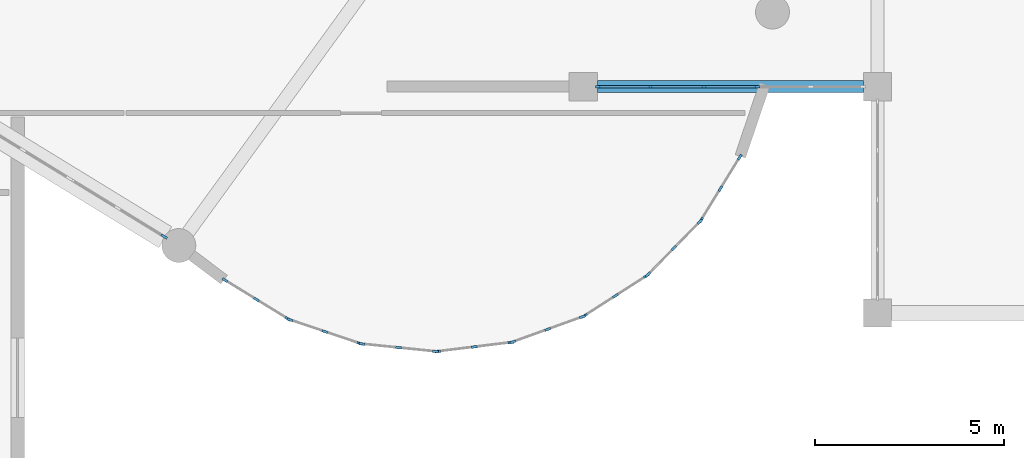
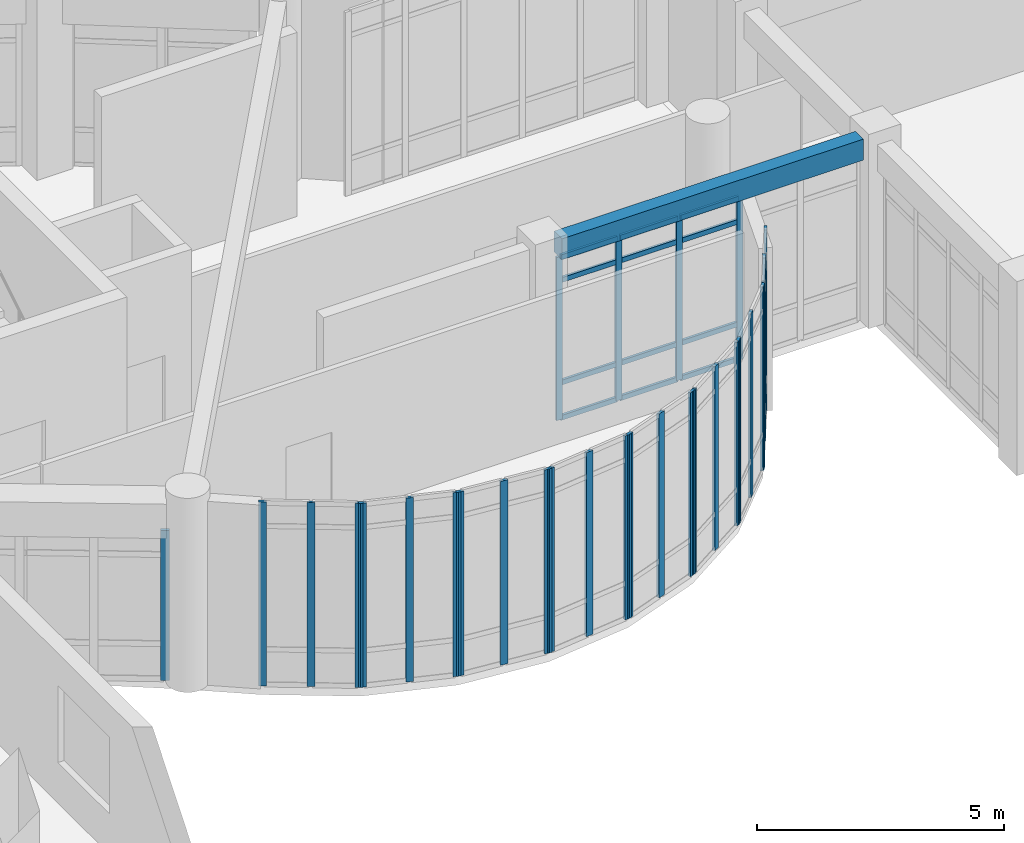
# One storey, part 16 of 68: 41 members, 1 beam, 10 elements without a shape of their own.
"""IFC4 building model written with IfcOpenShell, lengths in metres."""

import ifcopenshell
import ifcopenshell.guid

model = None  # the IFC model being written
_history = None  # IfcOwnerHistory: only IFC2X3 demands one
_inside = {}  # id of a spatial element -> (the spatial element, [elements in it])
_under = {}  # id of a project, library or spatial element -> (it, [spatial elements below it])
_declared = {}  # id of a project -> (the project, [libraries it declares])
_typed = {}  # id of a type object -> (the type object, [elements of that type])
_made_of = {}  # id of a material, layer set ... -> (it, [elements and type objects made of it])


def new_model(schema):
    """Start an empty IFC model of exactly this schema.

    Asked for "IFC4X3", IfcOpenShell would pick the latest addendum, in which some entities
    have other attributes; the version numbers below select the first issue.
    IFC2X3 requires an IfcOwnerHistory on every rooted entity: one is made here for all.
    """
    global model, _history
    if schema == "IFC4X3":
        model = ifcopenshell.file(schema_version=(4, 3, 0, 0))
    else:
        model = ifcopenshell.file(schema=schema)
    _inside.clear()
    _under.clear()
    _declared.clear()
    _typed.clear()
    _made_of.clear()
    _history = None
    if model.schema == "IFC2X3":
        org = make("IfcOrganization", Name="unknown")
        user = make(
            "IfcPersonAndOrganization",
            ThePerson=make("IfcPerson", FamilyName="unknown"),
            TheOrganization=org,
        )
        app = make(
            "IfcApplication",
            ApplicationDeveloper=org,
            Version="unknown",
            ApplicationFullName="unknown",
            ApplicationIdentifier="unknown",
        )
        _history = make(
            "IfcOwnerHistory",
            OwningUser=user,
            OwningApplication=app,
            ChangeAction="ADDED",
            CreationDate=0,
        )
    return model


def make(cls, **values):
    """One entity of the class cls with the attributes given. An attribute that is None is left unset."""
    return model.create_entity(
        cls, **{name: value for name, value in values.items() if value is not None}
    )


def rooted(cls, **values):
    """An entity with a GlobalId (a new one), such as an element, a storey or a relation."""
    return make(cls, GlobalId=ifcopenshell.guid.new(), OwnerHistory=_history, **values)


def si_unit(unit_type, name, prefix=None):
    """IfcSIUnit, for example si_unit("LENGTHUNIT", "METRE", prefix="MILLI")."""
    return make("IfcSIUnit", UnitType=unit_type, Prefix=prefix, Name=name)


def assignment(units):
    """IfcUnitAssignment: the units of a project."""
    return None if units is None else make("IfcUnitAssignment", Units=units)


def point(xyz):
    """IfcCartesianPoint."""
    return None if xyz is None else make("IfcCartesianPoint", Coordinates=xyz)


def direction(xyz):
    """IfcDirection."""
    return None if xyz is None else make("IfcDirection", DirectionRatios=xyz)


def frame(location, z_axis=None, x_axis=None):
    """IfcAxis2Placement3D, a coordinate frame: its origin and axes. An axis left out is left unset."""
    return make(
        "IfcAxis2Placement3D",
        Location=point(location),
        Axis=direction(z_axis),
        RefDirection=direction(x_axis),
    )


def frame_2d(location, x_axis=None):
    """IfcAxis2Placement2D, a coordinate frame in the plane: its origin and x axis."""
    return make(
        "IfcAxis2Placement2D", Location=point(location), RefDirection=direction(x_axis)
    )


def origin():
    """The frame at (0, 0, 0) with its axes left unset."""
    return frame((0.0, 0.0, 0.0))


def origin_2d():
    """The frame at (0, 0) in the plane with its x axis left unset."""
    return frame_2d((0.0, 0.0))


def place(relative_to, where):
    """IfcLocalPlacement: puts the frame where relative to a parent placement (None: the world)."""
    return make(
        "IfcLocalPlacement", PlacementRelTo=relative_to, RelativePlacement=where
    )


def context(
    kind, dimensions, precision=None, world=None, true_north=None, identifier=None
):
    """IfcGeometricRepresentationContext, for example the 3D "Model" context."""
    return make(
        "IfcGeometricRepresentationContext",
        ContextIdentifier=identifier,
        ContextType=kind,
        CoordinateSpaceDimension=dimensions,
        Precision=precision,
        WorldCoordinateSystem=world,
        TrueNorth=true_north,
    )


def subcontext(parent, identifier, kind, view, scale=None):
    """IfcGeometricRepresentationSubContext, for example "Body" below "Model"."""
    return make(
        "IfcGeometricRepresentationSubContext",
        ContextIdentifier=identifier,
        ContextType=kind,
        ParentContext=parent,
        TargetScale=scale,
        TargetView=view,
    )


def project(units=None, contexts=None):
    """IfcProject with its units and contexts."""
    return rooted(
        "IfcProject",
        Name="project",
        RepresentationContexts=contexts,
        UnitsInContext=assignment(units),
    )


def spatial(cls, under=None, at=None, **own):
    """A site, building, storey or space (cls), placed at a placement, below another one or the project."""
    s = rooted(cls, ObjectPlacement=at, **own)
    if under is not None:
        _under.setdefault(under.id(), (under, []))[1].append(s)
    return s


def profile(cls, at=None, kind="AREA", **sizes):
    """A parametric profile (cls). Its sizes go by their IFC names, for example OverallWidth=200.0."""
    return make(cls, ProfileType=kind, Position=at, **sizes)


def rectangle(**sizes):
    """IfcRectangleProfileDef."""
    return profile("IfcRectangleProfileDef", **sizes)


def extrude(swept, where, along, depth):
    """IfcExtrudedAreaSolid: the profile swept, set in the frame where, extruded along a direction by depth."""
    return make(
        "IfcExtrudedAreaSolid",
        SweptArea=swept,
        Position=where,
        ExtrudedDirection=direction(along),
        Depth=depth,
    )


def shape(context_of_items, identifier, shape_type, items):
    """IfcShapeRepresentation: the items that make up one representation, for example the "Body"."""
    return make(
        "IfcShapeRepresentation",
        ContextOfItems=context_of_items,
        RepresentationIdentifier=identifier,
        RepresentationType=shape_type,
        Items=items,
    )


def material(Name=None, Category=None):
    """IfcMaterial."""
    return make("IfcMaterial", Name=Name, Category=Category)


def layer(
    of_material, thickness, ventilated=None, Name=None, Category=None, Priority=None
):
    """IfcMaterialLayer: one layer of a wall or slab, of a material (None: an air gap)."""
    return make(
        "IfcMaterialLayer",
        Material=of_material,
        LayerThickness=thickness,
        IsVentilated=ventilated,
        Name=Name,
        Category=Category,
        Priority=Priority,
    )


def layer_set(layers, Name=None):
    """IfcMaterialLayerSet."""
    return make("IfcMaterialLayerSet", MaterialLayers=layers, LayerSetName=Name)


def material_profile(
    of_material, cross_section, Name=None, Category=None, Priority=None
):
    """IfcMaterialProfile: a cross section and its material."""
    return make(
        "IfcMaterialProfile",
        Name=Name,
        Material=of_material,
        Profile=cross_section,
        Priority=Priority,
        Category=Category,
    )


def profile_set(profiles, Name=None, composite=None):
    """IfcMaterialProfileSet."""
    return make(
        "IfcMaterialProfileSet",
        Name=Name,
        MaterialProfiles=profiles,
        CompositeProfile=composite,
    )


def made_of(thing, what):
    """Note that an element or type object is made of a material, layer set ...; save() writes the relation."""
    if what is not None:
        _made_of.setdefault(what.id(), (what, []))[1].append(thing)
    return thing


def type_object(cls, material=None, **own):
    """A type object (cls), such as IfcWallType, which elements share."""
    return made_of(rooted(cls, **own), material)


def element(
    cls,
    number,
    at=None,
    inside=None,
    cuts=None,
    type_object=None,
    material=None,
    context=None,
    identifier="Body",
    shape_type=None,
    held_by="IfcProductDefinitionShape",
    body=None,
    shapes=None,
    **own,
):
    """One element of the class cls, such as IfcWall. Its Tag is "e" and its number.

    at: its placement. inside: the storey or other place that contains it. cuts: it is an
    opening in that element (IfcRelVoidsElement). A single representation is given by context,
    identifier, shape_type and body (its items); several are given by shapes. held_by: the class
    of the entity that holds the representations. save() writes the other relations.
    """
    e = rooted(cls, Tag="e%d" % number, ObjectPlacement=at, **own)
    if body is not None:
        shapes = [shape(context, identifier, shape_type, body)]
    if shapes is not None:
        e.Representation = make(held_by, Representations=shapes)
    if inside is not None:
        _inside.setdefault(inside.id(), (inside, []))[1].append(e)
    if cuts is not None:
        rooted(
            "IfcRelVoidsElement", RelatingBuildingElement=cuts, RelatedOpeningElement=e
        )
    if type_object is not None:
        _typed.setdefault(type_object.id(), (type_object, []))[1].append(e)
    return made_of(e, material)


def aggregate(whole, parts):
    """IfcRelAggregates: a whole, such as a stair, and the parts it consists of."""
    return rooted("IfcRelAggregates", RelatingObject=whole, RelatedObjects=parts)


def save(model, path):
    """Write the relations noted so far, then the file.

    IfcRelAggregates (storeys below a building ...), IfcRelContainedInSpatialStructure (elements
    in a storey), IfcRelDefinesByType, IfcRelAssociatesMaterial and IfcRelDeclares: one each for
    every whole, place, type object, material and project.
    """
    for whole, parts in _under.values():
        aggregate(whole, parts)
    for where, things in _inside.values():
        rooted(
            "IfcRelContainedInSpatialStructure",
            RelatedElements=things,
            RelatingStructure=where,
        )
    for kind, things in _typed.values():
        rooted("IfcRelDefinesByType", RelatedObjects=things, RelatingType=kind)
    for what, things in _made_of.values():
        rooted("IfcRelAssociatesMaterial", RelatedObjects=things, RelatingMaterial=what)
    for by, libraries in _declared.values():
        rooted("IfcRelDeclares", RelatingContext=by, RelatedDefinitions=libraries)
    model.write(path)


model = new_model("IFC4")

# Units and contexts
model_context = context("Model", 3, precision=1e-05, world=origin(), true_north=direction((0.0, 1.0)))
body_context = subcontext(model_context, "Body", "Model", "MODEL_VIEW")
ifc_project = project(units=[si_unit("LENGTHUNIT", "METRE"), si_unit("AREAUNIT", "SQUARE_METRE"), si_unit("VOLUMEUNIT", "CUBIC_METRE"), si_unit("PLANEANGLEUNIT", "RADIAN"), si_unit("MASSUNIT", "GRAM", prefix="KILO")], contexts=[model_context])

# Site, building, storey
site_placement = place(None, origin())
site = spatial("IfcSite", under=ifc_project, at=site_placement, CompositionType="ELEMENT")
building_placement = place(site_placement, origin())
building = spatial("IfcBuilding", under=site, at=building_placement, Name="Miralva Faculty of Natural Sciences", CompositionType="ELEMENT")
storey_placement = place(building_placement, frame((0.0, 0.0, 5.39990234375)))
storey = spatial("IfcBuildingStorey", under=building, at=storey_placement, Name="L01", CompositionType="ELEMENT", Elevation=5.39990234375)

# Beam
ifc_material_1 = material(Name="Concrete C40/50", Category="concrete")
ifc_material_profile_1 = material_profile(ifc_material_1, rectangle(XDim=0.320068359375, YDim=0.52001953125, at=origin_2d()), Name="RC 320x520")
ifc_profile_set_1 = profile_set([ifc_material_profile_1], Name="Concrete C40/50")
beam_type = type_object("IfcBeamType", Name="BM-BG01", PredefinedType="BEAM", material=ifc_profile_set_1)
beam_placement = place(storey_placement, frame((126.375, 18.0, 4.300048828125), z_axis=(1.0, 0.0, 0.0), x_axis=(0.0, 1.0, 0.0)))
element("IfcBeam", 1, at=beam_placement, inside=storey, type_object=beam_type, Name="Girder EW L01-21", PredefinedType="BEAM", context=body_context, shape_type="SweptSolid", body=[
    extrude(rectangle(XDim=0.320068359375, YDim=0.52001953125, at=origin_2d()), origin(), (0.0, 0.0, 1.0), 7.050048828125),
])

# Curtain wall, member
ifc_material_2 = material(Name="Laminated solar-control glass", Category="glass")
ifc_layer_1 = layer(ifc_material_2, 0.179931640625, Name="CW-ARC-L01")
ifc_layer_set_1 = layer_set([ifc_layer_1], Name="Laminated solar-control glass")
curtain_wall_type_1 = type_object("IfcCurtainWallType", Name="CW-ARC-L01", PredefinedType="USERDEFINED", material=ifc_layer_set_1)
curtain_wall_1_placement = place(storey_placement, origin())
curtain_wall_1 = element("IfcCurtainWall", 2, at=curtain_wall_1_placement, inside=storey, type_object=curtain_wall_type_1, Name="Curtain wall CW-02 L01-30", ObjectType="UNITISED CURTAIN WALL", PredefinedType="USERDEFINED")
ifc_material_3 = material(Name="Anodised aluminium", Category="aluminium")
ifc_material_profile_2 = material_profile(ifc_material_3, rectangle(XDim=0.06494140625, YDim=0.179931640625, at=origin_2d()), Name="MULLION 65x180")
ifc_profile_set_2 = profile_set([ifc_material_profile_2], Name="Anodised aluminium")
member_type_1 = type_object("IfcMemberType", Name="CW-M01", PredefinedType="MULLION", material=ifc_profile_set_2)
member_1_placement = place(storey_placement, frame((114.884765625, 14.02685546875, 0.0), z_axis=(0.0, 0.0, 1.0), x_axis=(0.522489018681, 0.852646014098, 0.0)))
member_1 = element("IfcMember", 3, at=member_1_placement, type_object=member_type_1, Name="CW-02 mullion 3", PredefinedType="MULLION", context=body_context, shape_type="SweptSolid", body=[
    extrude(rectangle(XDim=0.06494140625, YDim=0.179931640625, at=origin_2d()), origin(), (0.0, 0.0, 1.0), 3.705078125),
])
aggregate(curtain_wall_1, [member_1])

# Curtain wall, members
ifc_layer_2 = layer(ifc_material_2, 0.179931640625, Name="CW-RND-L01")
ifc_layer_set_2 = layer_set([ifc_layer_2], Name="Laminated solar-control glass")
curtain_wall_type_2 = type_object("IfcCurtainWallType", Name="CW-RND-L01", PredefinedType="USERDEFINED", material=ifc_layer_set_2)
curtain_wall_2_placement = place(storey_placement, origin())
curtain_wall_2 = element("IfcCurtainWall", 4, at=curtain_wall_2_placement, inside=storey, type_object=curtain_wall_type_2, Name="Curtain wall CW-05 L01-55", ObjectType="UNITISED CURTAIN WALL", PredefinedType="USERDEFINED")
ifc_material_profile_3 = material_profile(ifc_material_3, rectangle(XDim=0.06494140625, YDim=0.159912109375, at=origin_2d()), Name="MULLION 65x160")
ifc_profile_set_3 = profile_set([ifc_material_profile_3], Name="Anodised aluminium")
member_type_2 = type_object("IfcMemberType", Name="CW-M02", PredefinedType="MULLION", material=ifc_profile_set_3)
member_2_placement = place(storey_placement, frame((129.12353515625, 14.46337890625, 0.0), z_axis=(0.0, 0.0, 1.0), x_axis=(-0.851994617353, 0.523550543884, 0.0)))
member_2 = element("IfcMember", 5, at=member_2_placement, type_object=member_type_2, Name="CW-05 mullion 1", PredefinedType="MULLION", context=body_context, shape_type="SweptSolid", body=[
    extrude(rectangle(XDim=0.06494140625, YDim=0.159912109375, at=origin_2d()), origin(), (0.0, 0.0, 1.0), 4.550048828125),
])
member_3_placement = place(storey_placement, frame((129.635498046875, 15.29638671875, 0.0), z_axis=(0.0, 0.0, 1.0), x_axis=(-0.851994617353, 0.523550543884, 0.0)))
member_3 = element("IfcMember", 6, at=member_3_placement, type_object=member_type_2, Name="CW-05 mullion 2", PredefinedType="MULLION", context=body_context, shape_type="SweptSolid", body=[
    extrude(rectangle(XDim=0.06494140625, YDim=0.159912109375, at=origin_2d()), origin(), (0.0, 0.0, 1.0), 4.550048828125),
])
member_4_placement = place(storey_placement, frame((130.147216796875, 16.12939453125, 0.0), z_axis=(0.0, 0.0, 1.0), x_axis=(-0.851994617353, 0.523550543884, 0.0)))
member_4 = element("IfcMember", 7, at=member_4_placement, type_object=member_type_2, Name="CW-05 mullion 3", PredefinedType="MULLION", context=body_context, shape_type="SweptSolid", body=[
    extrude(rectangle(XDim=0.06494140625, YDim=0.159912109375, at=origin_2d()), origin(), (0.0, 0.0, 1.0), 4.550048828125),
])
aggregate(curtain_wall_2, [member_2, member_3, member_4])

curtain_wall_3_placement = place(storey_placement, origin())
curtain_wall_3 = element("IfcCurtainWall", 8, at=curtain_wall_3_placement, inside=storey, type_object=curtain_wall_type_2, Name="Curtain wall CW-05 L01-56", ObjectType="UNITISED CURTAIN WALL", PredefinedType="USERDEFINED")
member_5_placement = place(storey_placement, frame((127.718505859375, 13.01953125, 0.0), z_axis=(0.0, 0.0, 1.0), x_axis=(-0.714124749017, 0.700018458929, 0.0)))
member_5 = element("IfcMember", 9, at=member_5_placement, type_object=member_type_2, Name="CW-05 mullion 1", PredefinedType="MULLION", context=body_context, shape_type="SweptSolid", body=[
    extrude(rectangle(XDim=0.06494140625, YDim=0.159912109375, at=origin_2d()), origin(), (0.0, 0.0, 1.0), 4.550048828125),
])
member_6_placement = place(storey_placement, frame((128.40283203125, 13.7177734375, 0.0), z_axis=(0.0, 0.0, 1.0), x_axis=(-0.714124749017, 0.700018458929, 0.0)))
member_6 = element("IfcMember", 10, at=member_6_placement, type_object=member_type_2, Name="CW-05 mullion 2", PredefinedType="MULLION", context=body_context, shape_type="SweptSolid", body=[
    extrude(rectangle(XDim=0.06494140625, YDim=0.159912109375, at=origin_2d()), origin(), (0.0, 0.0, 1.0), 4.550048828125),
])
member_7_placement = place(storey_placement, frame((129.087158203125, 14.416015625, 0.0), z_axis=(0.0, 0.0, 1.0), x_axis=(-0.714124749017, 0.700018458929, 0.0)))
member_7 = element("IfcMember", 11, at=member_7_placement, type_object=member_type_2, Name="CW-05 mullion 3", PredefinedType="MULLION", context=body_context, shape_type="SweptSolid", body=[
    extrude(rectangle(XDim=0.06494140625, YDim=0.159912109375, at=origin_2d()), origin(), (0.0, 0.0, 1.0), 4.550048828125),
])
aggregate(curtain_wall_3, [member_5, member_6, member_7])

curtain_wall_4_placement = place(storey_placement, origin())
curtain_wall_4 = element("IfcCurtainWall", 12, at=curtain_wall_4_placement, inside=storey, type_object=curtain_wall_type_2, Name="Curtain wall CW-05 L01-57", ObjectType="UNITISED CURTAIN WALL", PredefinedType="USERDEFINED")
member_8_placement = place(storey_placement, frame((126.02734375, 11.9248046875, 0.0), z_axis=(0.0, 0.0, 1.0), x_axis=(-0.540444854725, 0.841379438185, 0.0)))
member_8 = element("IfcMember", 13, at=member_8_placement, type_object=member_type_2, Name="CW-05 mullion 1", PredefinedType="MULLION", context=body_context, shape_type="SweptSolid", body=[
    extrude(rectangle(XDim=0.06494140625, YDim=0.159912109375, at=origin_2d()), origin(), (0.0, 0.0, 1.0), 4.550048828125),
])
member_9_placement = place(storey_placement, frame((126.849853515625, 12.453125, 0.0), z_axis=(0.0, 0.0, 1.0), x_axis=(-0.540444854725, 0.841379438185, 0.0)))
member_9 = element("IfcMember", 14, at=member_9_placement, type_object=member_type_2, Name="CW-05 mullion 2", PredefinedType="MULLION", context=body_context, shape_type="SweptSolid", body=[
    extrude(rectangle(XDim=0.06494140625, YDim=0.159912109375, at=origin_2d()), origin(), (0.0, 0.0, 1.0), 4.550048828125),
])
member_10_placement = place(storey_placement, frame((127.672607421875, 12.9814453125, 0.0), z_axis=(0.0, 0.0, 1.0), x_axis=(-0.540444854725, 0.841379438185, 0.0)))
member_10 = element("IfcMember", 15, at=member_10_placement, type_object=member_type_2, Name="CW-05 mullion 3", PredefinedType="MULLION", context=body_context, shape_type="SweptSolid", body=[
    extrude(rectangle(XDim=0.06494140625, YDim=0.159912109375, at=origin_2d()), origin(), (0.0, 0.0, 1.0), 4.550048828125),
])
aggregate(curtain_wall_4, [member_8, member_9, member_10])

curtain_wall_5_placement = place(storey_placement, origin())
curtain_wall_5 = element("IfcCurtainWall", 16, at=curtain_wall_5_placement, inside=storey, type_object=curtain_wall_type_2, Name="Curtain wall CW-05 L01-58", ObjectType="UNITISED CURTAIN WALL", PredefinedType="USERDEFINED")
member_11_placement = place(storey_placement, frame((124.135009765625, 11.233642578125, 0.0), z_axis=(0.0, 0.0, 1.0), x_axis=(-0.339695547876, 0.940535451088, 0.0)))
member_11 = element("IfcMember", 17, at=member_11_placement, type_object=member_type_2, Name="CW-05 mullion 1", PredefinedType="MULLION", context=body_context, shape_type="SweptSolid", body=[
    extrude(rectangle(XDim=0.06494140625, YDim=0.159912109375, at=origin_2d()), origin(), (0.0, 0.0, 1.0), 4.550048828125),
])
member_12_placement = place(storey_placement, frame((125.0546875, 11.565673828125, 0.0), z_axis=(0.0, 0.0, 1.0), x_axis=(-0.339695547876, 0.940535451088, 0.0)))
member_12 = element("IfcMember", 18, at=member_12_placement, type_object=member_type_2, Name="CW-05 mullion 2", PredefinedType="MULLION", context=body_context, shape_type="SweptSolid", body=[
    extrude(rectangle(XDim=0.06494140625, YDim=0.159912109375, at=origin_2d()), origin(), (0.0, 0.0, 1.0), 4.550048828125),
])
member_13_placement = place(storey_placement, frame((125.97412109375, 11.89794921875, 0.0), z_axis=(0.0, 0.0, 1.0), x_axis=(-0.339695547876, 0.940535451088, 0.0)))
member_13 = element("IfcMember", 19, at=member_13_placement, type_object=member_type_2, Name="CW-05 mullion 3", PredefinedType="MULLION", context=body_context, shape_type="SweptSolid", body=[
    extrude(rectangle(XDim=0.06494140625, YDim=0.159912109375, at=origin_2d()), origin(), (0.0, 0.0, 1.0), 4.550048828125),
])
aggregate(curtain_wall_5, [member_11, member_12, member_13])

curtain_wall_6_placement = place(storey_placement, origin())
curtain_wall_6 = element("IfcCurtainWall", 20, at=curtain_wall_6_placement, inside=storey, type_object=curtain_wall_type_2, Name="Curtain wall CW-05 L01-59", ObjectType="UNITISED CURTAIN WALL", PredefinedType="USERDEFINED")
member_14_placement = place(storey_placement, frame((122.136474609375, 10.98095703125, 0.0), z_axis=(0.0, 0.0, 1.0), x_axis=(-0.121859649701, 0.99254734183, 0.0)))
member_14 = element("IfcMember", 21, at=member_14_placement, type_object=member_type_2, Name="CW-05 mullion 1", PredefinedType="MULLION", context=body_context, shape_type="SweptSolid", body=[
    extrude(rectangle(XDim=0.06494140625, YDim=0.159912109375, at=origin_2d()), origin(), (0.0, 0.0, 1.0), 4.550048828125),
])
member_15_placement = place(storey_placement, frame((123.10693359375, 11.10009765625, 0.0), z_axis=(0.0, 0.0, 1.0), x_axis=(-0.121859649701, 0.99254734183, 0.0)))
member_15 = element("IfcMember", 22, at=member_15_placement, type_object=member_type_2, Name="CW-05 mullion 2", PredefinedType="MULLION", context=body_context, shape_type="SweptSolid", body=[
    extrude(rectangle(XDim=0.06494140625, YDim=0.159912109375, at=origin_2d()), origin(), (0.0, 0.0, 1.0), 4.550048828125),
])
member_16_placement = place(storey_placement, frame((124.0771484375, 11.21923828125, 0.0), z_axis=(0.0, 0.0, 1.0), x_axis=(-0.121859649701, 0.99254734183, 0.0)))
member_16 = element("IfcMember", 23, at=member_16_placement, type_object=member_type_2, Name="CW-05 mullion 3", PredefinedType="MULLION", context=body_context, shape_type="SweptSolid", body=[
    extrude(rectangle(XDim=0.06494140625, YDim=0.159912109375, at=origin_2d()), origin(), (0.0, 0.0, 1.0), 4.550048828125),
])
aggregate(curtain_wall_6, [member_14, member_15, member_16])

curtain_wall_7_placement = place(storey_placement, origin())
curtain_wall_7 = element("IfcCurtainWall", 24, at=curtain_wall_7_placement, inside=storey, type_object=curtain_wall_type_2, Name="Curtain wall CW-05 L01-60", ObjectType="UNITISED CURTAIN WALL", PredefinedType="USERDEFINED")
member_17_placement = place(storey_placement, frame((120.131591796875, 11.179443359375, 0.0), z_axis=(0.0, 0.0, 1.0), x_axis=(0.102056494477, 0.994778604482, 0.0)))
member_17 = element("IfcMember", 25, at=member_17_placement, type_object=member_type_2, Name="CW-05 mullion 1", PredefinedType="MULLION", context=body_context, shape_type="SweptSolid", body=[
    extrude(rectangle(XDim=0.06494140625, YDim=0.159912109375, at=origin_2d()), origin(), (0.0, 0.0, 1.0), 4.550048828125),
])
member_18_placement = place(storey_placement, frame((121.104248046875, 11.07958984375, 0.0), z_axis=(0.0, 0.0, 1.0), x_axis=(0.102056494477, 0.994778604482, 0.0)))
member_18 = element("IfcMember", 26, at=member_18_placement, type_object=member_type_2, Name="CW-05 mullion 2", PredefinedType="MULLION", context=body_context, shape_type="SweptSolid", body=[
    extrude(rectangle(XDim=0.06494140625, YDim=0.159912109375, at=origin_2d()), origin(), (0.0, 0.0, 1.0), 4.550048828125),
])
member_19_placement = place(storey_placement, frame((122.076904296875, 10.979736328125, 0.0), z_axis=(0.0, 0.0, 1.0), x_axis=(0.102056494477, 0.994778604482, 0.0)))
member_19 = element("IfcMember", 27, at=member_19_placement, type_object=member_type_2, Name="CW-05 mullion 3", PredefinedType="MULLION", context=body_context, shape_type="SweptSolid", body=[
    extrude(rectangle(XDim=0.06494140625, YDim=0.159912109375, at=origin_2d()), origin(), (0.0, 0.0, 1.0), 4.550048828125),
])
aggregate(curtain_wall_7, [member_17, member_18, member_19])

curtain_wall_8_placement = place(storey_placement, origin())
curtain_wall_8 = element("IfcCurtainWall", 28, at=curtain_wall_8_placement, inside=storey, type_object=curtain_wall_type_2, Name="Curtain wall CW-05 L01-61", ObjectType="UNITISED CURTAIN WALL", PredefinedType="USERDEFINED")
member_20_placement = place(storey_placement, frame((118.22119140625, 11.81884765625, 0.0), z_axis=(0.0, 0.0, 1.0), x_axis=(0.320842126361, 0.947132688672, 0.0)))
member_20 = element("IfcMember", 29, at=member_20_placement, type_object=member_type_2, Name="CW-05 mullion 1", PredefinedType="MULLION", context=body_context, shape_type="SweptSolid", body=[
    extrude(rectangle(XDim=0.06494140625, YDim=0.159912109375, at=origin_2d()), origin(), (0.0, 0.0, 1.0), 4.550048828125),
])
member_21_placement = place(storey_placement, frame((119.147216796875, 11.505126953125, 0.0), z_axis=(0.0, 0.0, 1.0), x_axis=(0.320842126361, 0.947132688672, 0.0)))
member_21 = element("IfcMember", 30, at=member_21_placement, type_object=member_type_2, Name="CW-05 mullion 2", PredefinedType="MULLION", context=body_context, shape_type="SweptSolid", body=[
    extrude(rectangle(XDim=0.06494140625, YDim=0.159912109375, at=origin_2d()), origin(), (0.0, 0.0, 1.0), 4.550048828125),
])
member_22_placement = place(storey_placement, frame((120.0732421875, 11.19140625, 0.0), z_axis=(0.0, 0.0, 1.0), x_axis=(0.320842126361, 0.947132688672, 0.0)))
member_22 = element("IfcMember", 31, at=member_22_placement, type_object=member_type_2, Name="CW-05 mullion 3", PredefinedType="MULLION", context=body_context, shape_type="SweptSolid", body=[
    extrude(rectangle(XDim=0.06494140625, YDim=0.159912109375, at=origin_2d()), origin(), (0.0, 0.0, 1.0), 4.550048828125),
])
aggregate(curtain_wall_8, [member_20, member_21, member_22])

curtain_wall_9_placement = place(storey_placement, origin())
curtain_wall_9 = element("IfcCurtainWall", 32, at=curtain_wall_9_placement, inside=storey, type_object=curtain_wall_type_2, Name="Curtain wall CW-05 L01-62", ObjectType="UNITISED CURTAIN WALL", PredefinedType="USERDEFINED")
member_23_placement = place(storey_placement, frame((116.496826171875, 12.8701171875, 0.0), z_axis=(0.0, 0.0, 1.0), x_axis=(0.523535366458, 0.852003943693, 0.0)))
member_23 = element("IfcMember", 33, at=member_23_placement, type_object=member_type_2, Name="CW-05 mullion 1", PredefinedType="MULLION", context=body_context, shape_type="SweptSolid", body=[
    extrude(rectangle(XDim=0.06494140625, YDim=0.159912109375, at=origin_2d()), origin(), (0.0, 0.0, 1.0), 4.550048828125),
])
member_24_placement = place(storey_placement, frame((117.33203125, 12.35693359375, 0.0), z_axis=(0.0, 0.0, 1.0), x_axis=(0.523535366458, 0.852003943693, 0.0)))
member_24 = element("IfcMember", 34, at=member_24_placement, type_object=member_type_2, Name="CW-05 mullion 2", PredefinedType="MULLION", context=body_context, shape_type="SweptSolid", body=[
    extrude(rectangle(XDim=0.06494140625, YDim=0.159912109375, at=origin_2d()), origin(), (0.0, 0.0, 1.0), 4.550048828125),
])
member_25_placement = place(storey_placement, frame((118.1669921875, 11.84375, 0.0), z_axis=(0.0, 0.0, 1.0), x_axis=(0.523535366458, 0.852003943693, 0.0)))
member_25 = element("IfcMember", 35, at=member_25_placement, type_object=member_type_2, Name="CW-05 mullion 3", PredefinedType="MULLION", context=body_context, shape_type="SweptSolid", body=[
    extrude(rectangle(XDim=0.06494140625, YDim=0.159912109375, at=origin_2d()), origin(), (0.0, 0.0, 1.0), 4.550048828125),
])
aggregate(curtain_wall_9, [member_23, member_24, member_25])

ifc_layer_3 = layer(ifc_material_2, 0.179931640625, Name="CW-COM-L01")
ifc_layer_set_3 = layer_set([ifc_layer_3], Name="Laminated solar-control glass")
curtain_wall_type_3 = type_object("IfcCurtainWallType", Name="CW-COM-L01", PredefinedType="USERDEFINED", material=ifc_layer_set_3)
curtain_wall_10_placement = place(storey_placement, origin())
curtain_wall_10 = element("IfcCurtainWall", 36, at=curtain_wall_10_placement, inside=storey, type_object=curtain_wall_type_3, Name="Curtain wall CW-10 L01-290", ObjectType="UNITISED CURTAIN WALL", PredefinedType="USERDEFINED")
ifc_material_profile_4 = material_profile(ifc_material_3, rectangle(XDim=0.06005859375, YDim=0.139892578125, at=origin_2d()), Name="MULLION 60x140")
ifc_profile_set_4 = profile_set([ifc_material_profile_4], Name="Anodised aluminium")
member_type_3 = type_object("IfcMemberType", Name="CW-M03", PredefinedType="MULLION", material=ifc_profile_set_4)
member_26_placement = place(storey_placement, frame((126.39501953125, 18.0, 0.0), z_axis=(0.0, 0.0, 1.0), x_axis=(0.0, 1.0, 0.0)))
member_26 = element("IfcMember", 37, at=member_26_placement, type_object=member_type_3, Name="CW-10 mullion 1", PredefinedType="MULLION", context=body_context, shape_type="SweptSolid", body=[
    extrude(rectangle(XDim=0.06005859375, YDim=0.139892578125, at=origin_2d()), origin(), (0.0, 0.0, 1.0), 4.03515625),
])
member_27_placement = place(storey_placement, frame((127.781005859375, 18.0, 0.0), z_axis=(0.0, 0.0, 1.0), x_axis=(0.0, 1.0, 0.0)))
member_27 = element("IfcMember", 38, at=member_27_placement, type_object=member_type_3, Name="CW-10 mullion 2", PredefinedType="MULLION", context=body_context, shape_type="SweptSolid", body=[
    extrude(rectangle(XDim=0.06005859375, YDim=0.139892578125, at=origin_2d()), origin(), (0.0, 0.0, 1.0), 4.03515625),
])
member_28_placement = place(storey_placement, frame((129.197021484375, 18.0, 0.0), z_axis=(0.0, 0.0, 1.0), x_axis=(0.0, 1.0, 0.0)))
member_28 = element("IfcMember", 39, at=member_28_placement, type_object=member_type_3, Name="CW-10 mullion 3", PredefinedType="MULLION", context=body_context, shape_type="SweptSolid", body=[
    extrude(rectangle(XDim=0.06005859375, YDim=0.139892578125, at=origin_2d()), origin(), (0.0, 0.0, 1.0), 4.03515625),
])
member_29_placement = place(storey_placement, frame((130.613037109375, 18.0, 0.0), z_axis=(0.0, 0.0, 1.0), x_axis=(0.0, 1.0, 0.0)))
member_29 = element("IfcMember", 40, at=member_29_placement, type_object=member_type_3, Name="CW-10 mullion 4", PredefinedType="MULLION", context=body_context, shape_type="SweptSolid", body=[
    extrude(rectangle(XDim=0.06005859375, YDim=0.139892578125, at=origin_2d()), origin(), (0.0, 0.0, 1.0), 4.03515625),
])
ifc_material_profile_5 = material_profile(ifc_material_3, rectangle(XDim=0.06005859375, YDim=0.1201171875, at=origin_2d()), Name="TRANSOM 60x120")
ifc_profile_set_5 = profile_set([ifc_material_profile_5], Name="Anodised aluminium")
member_type_4 = type_object("IfcMemberType", Name="CW-T02", PredefinedType="USERDEFINED", material=ifc_profile_set_5)
member_30_placement = place(storey_placement, frame((126.425048828125, 18.0, 0.030029296875), z_axis=(1.0, 0.0, 0.0), x_axis=(0.0, 1.0, 0.0)))
member_30 = element("IfcMember", 41, at=member_30_placement, type_object=member_type_4, Name="CW-10 transom 1.1", ObjectType="TRANSOM", PredefinedType="USERDEFINED", context=body_context, shape_type="SweptSolid", body=[
    extrude(rectangle(XDim=0.06005859375, YDim=0.1201171875, at=origin_2d()), origin(), (0.0, 0.0, 1.0), 1.325927734375),
])
member_31_placement = place(storey_placement, frame((126.425048828125, 18.0, 0.900146484375), z_axis=(1.0, 0.0, 0.0), x_axis=(0.0, 1.0, 0.0)))
member_31 = element("IfcMember", 42, at=member_31_placement, type_object=member_type_4, Name="CW-10 transom 1.2", ObjectType="TRANSOM", PredefinedType="USERDEFINED", context=body_context, shape_type="SweptSolid", body=[
    extrude(rectangle(XDim=0.06005859375, YDim=0.1201171875, at=origin_2d()), origin(), (0.0, 0.0, 1.0), 1.325927734375),
])
member_32_placement = place(storey_placement, frame((126.425048828125, 18.0, 3.43505859375), z_axis=(1.0, 0.0, 0.0), x_axis=(0.0, 1.0, 0.0)))
member_32 = element("IfcMember", 43, at=member_32_placement, type_object=member_type_4, Name="CW-10 transom 1.3", ObjectType="TRANSOM", PredefinedType="USERDEFINED", context=body_context, shape_type="SweptSolid", body=[
    extrude(rectangle(XDim=0.06005859375, YDim=0.1201171875, at=origin_2d()), origin(), (0.0, 0.0, 1.0), 1.325927734375),
])
member_33_placement = place(storey_placement, frame((126.425048828125, 18.0, 4.005126953125), z_axis=(1.0, 0.0, 0.0), x_axis=(0.0, 1.0, 0.0)))
member_33 = element("IfcMember", 44, at=member_33_placement, type_object=member_type_4, Name="CW-10 transom 1.4", ObjectType="TRANSOM", PredefinedType="USERDEFINED", context=body_context, shape_type="SweptSolid", body=[
    extrude(rectangle(XDim=0.06005859375, YDim=0.1201171875, at=origin_2d()), origin(), (0.0, 0.0, 1.0), 1.325927734375),
])
member_34_placement = place(storey_placement, frame((127.81103515625, 18.0, 0.030029296875), z_axis=(1.0, 0.0, 0.0), x_axis=(0.0, 1.0, 0.0)))
member_34 = element("IfcMember", 45, at=member_34_placement, type_object=member_type_4, Name="CW-10 transom 2.1", ObjectType="TRANSOM", PredefinedType="USERDEFINED", context=body_context, shape_type="SweptSolid", body=[
    extrude(rectangle(XDim=0.06005859375, YDim=0.1201171875, at=origin_2d()), origin(), (0.0, 0.0, 1.0), 1.35595703125),
])
member_35_placement = place(storey_placement, frame((127.81103515625, 18.0, 0.900146484375), z_axis=(1.0, 0.0, 0.0), x_axis=(0.0, 1.0, 0.0)))
member_35 = element("IfcMember", 46, at=member_35_placement, type_object=member_type_4, Name="CW-10 transom 2.2", ObjectType="TRANSOM", PredefinedType="USERDEFINED", context=body_context, shape_type="SweptSolid", body=[
    extrude(rectangle(XDim=0.06005859375, YDim=0.1201171875, at=origin_2d()), origin(), (0.0, 0.0, 1.0), 1.35595703125),
])
member_36_placement = place(storey_placement, frame((127.81103515625, 18.0, 3.43505859375), z_axis=(1.0, 0.0, 0.0), x_axis=(0.0, 1.0, 0.0)))
member_36 = element("IfcMember", 47, at=member_36_placement, type_object=member_type_4, Name="CW-10 transom 2.3", ObjectType="TRANSOM", PredefinedType="USERDEFINED", context=body_context, shape_type="SweptSolid", body=[
    extrude(rectangle(XDim=0.06005859375, YDim=0.1201171875, at=origin_2d()), origin(), (0.0, 0.0, 1.0), 1.35595703125),
])
member_37_placement = place(storey_placement, frame((127.81103515625, 18.0, 4.005126953125), z_axis=(1.0, 0.0, 0.0), x_axis=(0.0, 1.0, 0.0)))
member_37 = element("IfcMember", 48, at=member_37_placement, type_object=member_type_4, Name="CW-10 transom 2.4", ObjectType="TRANSOM", PredefinedType="USERDEFINED", context=body_context, shape_type="SweptSolid", body=[
    extrude(rectangle(XDim=0.06005859375, YDim=0.1201171875, at=origin_2d()), origin(), (0.0, 0.0, 1.0), 1.35595703125),
])
member_38_placement = place(storey_placement, frame((129.22705078125, 18.0, 0.030029296875), z_axis=(1.0, 0.0, 0.0), x_axis=(0.0, 1.0, 0.0)))
member_38 = element("IfcMember", 49, at=member_38_placement, type_object=member_type_4, Name="CW-10 transom 3.1", ObjectType="TRANSOM", PredefinedType="USERDEFINED", context=body_context, shape_type="SweptSolid", body=[
    extrude(rectangle(XDim=0.06005859375, YDim=0.1201171875, at=origin_2d()), origin(), (0.0, 0.0, 1.0), 1.35595703125),
])
member_39_placement = place(storey_placement, frame((129.22705078125, 18.0, 0.900146484375), z_axis=(1.0, 0.0, 0.0), x_axis=(0.0, 1.0, 0.0)))
member_39 = element("IfcMember", 50, at=member_39_placement, type_object=member_type_4, Name="CW-10 transom 3.2", ObjectType="TRANSOM", PredefinedType="USERDEFINED", context=body_context, shape_type="SweptSolid", body=[
    extrude(rectangle(XDim=0.06005859375, YDim=0.1201171875, at=origin_2d()), origin(), (0.0, 0.0, 1.0), 1.35595703125),
])
member_40_placement = place(storey_placement, frame((129.22705078125, 18.0, 3.43505859375), z_axis=(1.0, 0.0, 0.0), x_axis=(0.0, 1.0, 0.0)))
member_40 = element("IfcMember", 51, at=member_40_placement, type_object=member_type_4, Name="CW-10 transom 3.3", ObjectType="TRANSOM", PredefinedType="USERDEFINED", context=body_context, shape_type="SweptSolid", body=[
    extrude(rectangle(XDim=0.06005859375, YDim=0.1201171875, at=origin_2d()), origin(), (0.0, 0.0, 1.0), 1.35595703125),
])
member_41_placement = place(storey_placement, frame((129.22705078125, 18.0, 4.005126953125), z_axis=(1.0, 0.0, 0.0), x_axis=(0.0, 1.0, 0.0)))
member_41 = element("IfcMember", 52, at=member_41_placement, type_object=member_type_4, Name="CW-10 transom 3.4", ObjectType="TRANSOM", PredefinedType="USERDEFINED", context=body_context, shape_type="SweptSolid", body=[
    extrude(rectangle(XDim=0.06005859375, YDim=0.1201171875, at=origin_2d()), origin(), (0.0, 0.0, 1.0), 1.35595703125),
])
aggregate(curtain_wall_10, [member_26, member_27, member_28, member_29, member_30, member_31, member_32, member_33, member_34, member_35, member_36, member_37, member_38, member_39, member_40, member_41])

save(model, "model.ifc")
